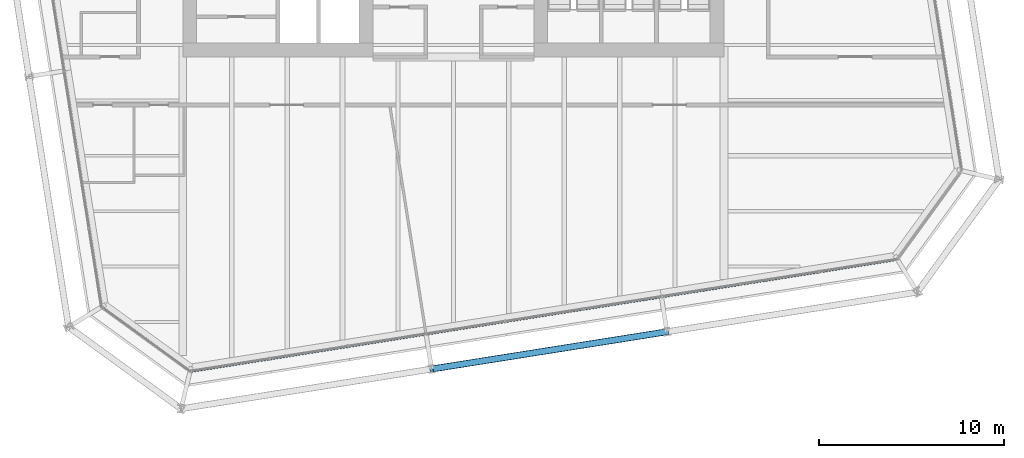
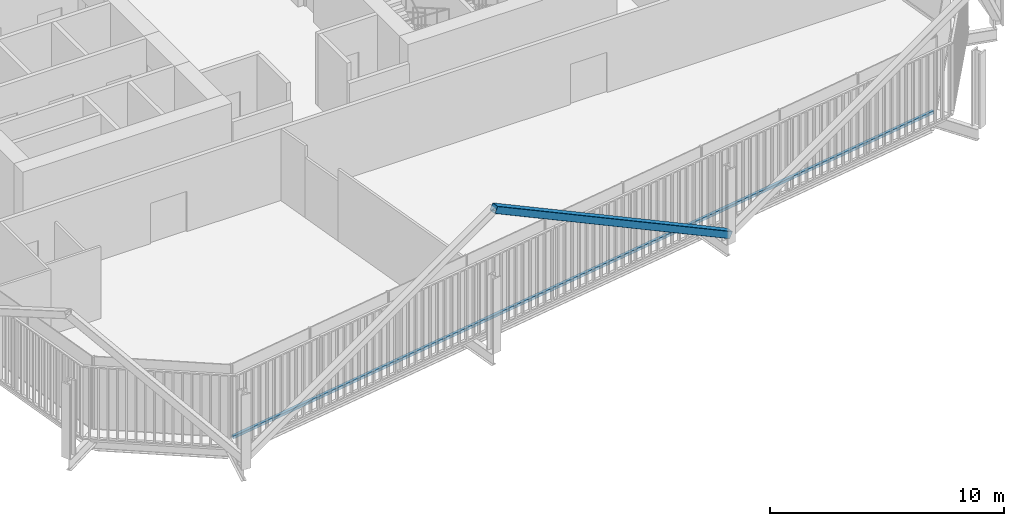
# One storey, part 7 of 22: 2 members, 1 element without a shape of its own.
"""IFC4 building model written with IfcOpenShell, lengths in metres."""

from ifc_helpers import new_model, si_unit, direction, frame, origin, origin_2d, place, context, subcontext, project, spatial, rectangle, hollow_rectangle, extrude, material, layer, layer_set, material_profile, profile_set, type_object, element, aggregate, save


model = new_model("IFC4")

# Units and contexts
model_context = context("Model", 3, precision=1e-05, world=origin(), true_north=direction((0.0, 1.0)))
body_context = subcontext(model_context, "Body", "Model", "MODEL_VIEW")
ifc_project = project(units=[si_unit("LENGTHUNIT", "METRE"), si_unit("AREAUNIT", "SQUARE_METRE"), si_unit("VOLUMEUNIT", "CUBIC_METRE"), si_unit("PLANEANGLEUNIT", "RADIAN"), si_unit("MASSUNIT", "GRAM", prefix="KILO")], contexts=[model_context])

# Site, building, storey
site_placement = place(None, origin())
site = spatial("IfcSite", under=ifc_project, at=site_placement, CompositionType="ELEMENT")
building_placement = place(site_placement, origin())
building = spatial("IfcBuilding", under=site, at=building_placement, Name="Millrace Tower", CompositionType="ELEMENT")
storey_placement = place(building_placement, frame((0.0, 0.0, 152.89990234375)))
storey = spatial("IfcBuildingStorey", under=building, at=storey_placement, Name="L34", CompositionType="ELEMENT", Elevation=152.89990234375)

# Curtain wall, member
ifc_material_1 = material(Name="Aluminium and glass", Category="aluminium")
ifc_layer = layer(ifc_material_1, 0.14990234375)
ifc_layer_set = layer_set([ifc_layer], Name="Aluminium and glass")
curtain_wall_type = type_object("IfcCurtainWallType", Name="CW-1 office vision curtain wall", PredefinedType="NOTDEFINED", material=ifc_layer_set)
curtain_wall_placement = place(storey_placement, origin())
curtain_wall = element("IfcCurtainWall", 1, at=curtain_wall_placement, inside=storey, type_object=curtain_wall_type, Name="Curtain wall C-F02 L34", PredefinedType="NOTDEFINED")
ifc_material_2 = material(Name="Aluminium", Category="aluminium")
ifc_material_profile_1 = material_profile(ifc_material_2, rectangle(XDim=0.14990234375, YDim=0.139892578125, at=origin_2d()))
ifc_profile_set_1 = profile_set([ifc_material_profile_1], Name="Aluminium")
member_type_1 = type_object("IfcMemberType", Name="CW-1 office vision curtain wall transom", PredefinedType="USERDEFINED", material=ifc_profile_set_1)
member_1_placement = place(storey_placement, frame((-14.125, -26.64599609375, 0.070068359375), z_axis=(0.987688350509, 0.156434402447, 0.0), x_axis=(-0.156434402447, 0.987688350509, 0.0)))
member_1 = element("IfcMember", 2, at=member_1_placement, type_object=member_type_1, Name="CW1 transom C-F02.1", ObjectType="TRANSOM", PredefinedType="USERDEFINED", context=body_context, shape_type="SweptSolid", body=[
    extrude(rectangle(XDim=0.14990234375, YDim=0.139892578125, at=origin_2d()), origin(), (0.0, 0.0, 1.0), 38.499755859375),
])
aggregate(curtain_wall, [member_1])

# Member
ifc_material_3 = material(Name="Steel ASTM A500 Grade C", Category="steel")
ifc_material_profile_2 = material_profile(ifc_material_3, hollow_rectangle(XDim=0.355712890625, YDim=0.355712890625, WallThickness=0.015869140625, InnerFilletRadius=0.008056640625, OuterFilletRadius=0.02392578125, at=origin_2d()))
ifc_profile_set_2 = profile_set([ifc_material_profile_2], Name="Steel ASTM A500 Grade C")
member_type_2 = type_object("IfcMemberType", Name="Exoskeleton brace HSS14x14x5/8", PredefinedType="BRACE", material=ifc_profile_set_2)
member_2_placement = place(storey_placement, frame((11.5595703125, -24.527099609375, 0.400146484375), z_axis=(-0.868109818913, -0.137501595477, 0.476947223022), x_axis=(0.156441687909, -0.987687196578, 0.0)))
element("IfcMember", 3, at=member_2_placement, inside=storey, type_object=member_type_2, Name="BRC-C-L34-03", PredefinedType="BRACE", context=body_context, shape_type="SweptSolid", body=[
    extrude(hollow_rectangle(XDim=0.355712890625, YDim=0.355712890625, WallThickness=0.015869140625, InnerFilletRadius=0.008056640625, OuterFilletRadius=0.02392578125, at=origin_2d()), origin(), (0.0, 0.0, 1.0), 14.6767578125),
])

save(model, "model.ifc")
